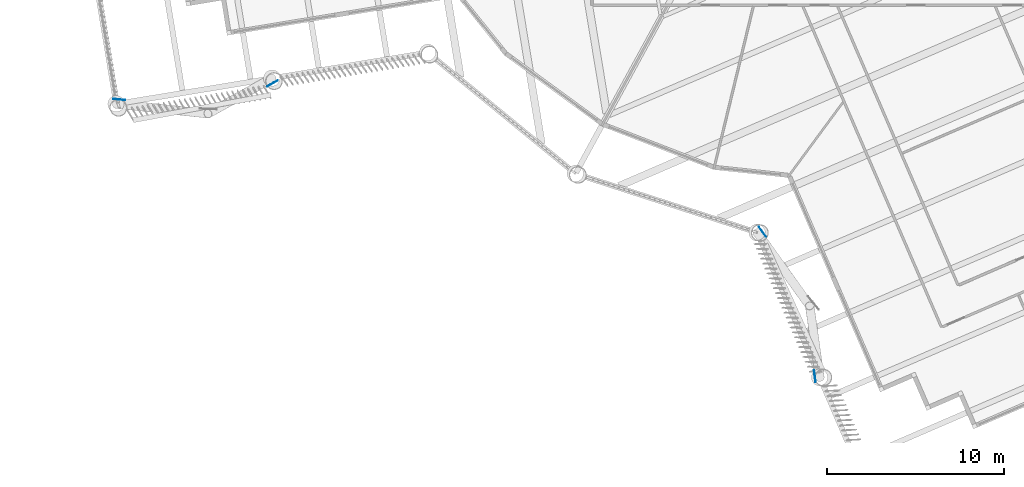
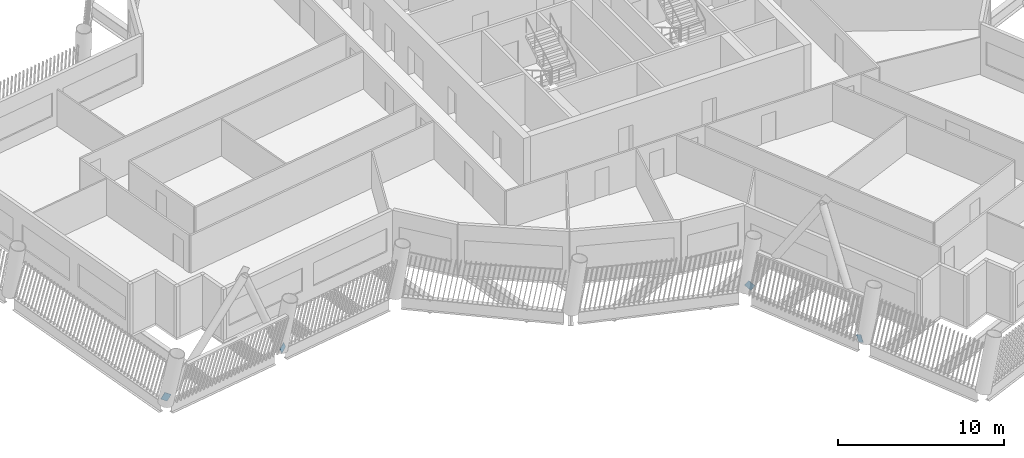
# One storey, part 12 of 23: 4 discrete accessories.
"""IFC4 building model written with IfcOpenShell, lengths in metres."""

from ifc_helpers import new_model, si_unit, direction, frame, origin, origin_2d, place, context, subcontext, project, spatial, rectangle, extrude, material, material_profile, profile_set, type_object, element, save


model = new_model("IFC4")

# Units and contexts
model_context = context("Model", 3, precision=1e-05, world=origin(), true_north=direction((0.0, 1.0)))
body_context = subcontext(model_context, "Body", "Model", "MODEL_VIEW")
ifc_project = project(units=[si_unit("LENGTHUNIT", "METRE"), si_unit("AREAUNIT", "SQUARE_METRE"), si_unit("VOLUMEUNIT", "CUBIC_METRE"), si_unit("PLANEANGLEUNIT", "RADIAN"), si_unit("MASSUNIT", "GRAM", prefix="KILO")], contexts=[model_context])

# Site, building, storey
site_placement = place(None, origin())
site = spatial("IfcSite", under=ifc_project, at=site_placement, CompositionType="ELEMENT")
building_placement = place(site_placement, origin())
building = spatial("IfcBuilding", under=site, at=building_placement, Name="Tarsis Ring Headquarters", CompositionType="ELEMENT")
storey_placement = place(building_placement, frame((0.0, 0.0, 323.60009765625)))
storey = spatial("IfcBuildingStorey", under=building, at=storey_placement, Name="L76", CompositionType="ELEMENT", Elevation=323.60009765625)

# Discrete accessories
ifc_material = material(Name="Structural steel S355", Category="steel")
ifc_material_profile = material_profile(ifc_material, rectangle(XDim=0.02490234375, YDim=0.5, at=origin_2d()), Name="PL 25x500")
ifc_profile_set = profile_set([ifc_material_profile], Name="Structural steel S355")
discrete_accessory_type = type_object("IfcDiscreteAccessoryType", Name="Gusset plate Exo brace 25", PredefinedType="BRACKET", material=ifc_profile_set)
for number, where, z_axis, x_axis, name in (
    (1, (-3.459228515625, -28.659912109375, 0.0), (0.317984720529, -0.44400631484, 0.837701683114), (0.813007650405, 0.582253003756, 0.0), "Gusset plate GP5"),
    (2, (-0.41015625, -37.024658203125, 0.0), (-0.064488213037, 0.458745697289, 0.886224382196), (-0.990263394512, -0.139206355778, 0.0), "Gusset plate GP5"),
):
    element("IfcDiscreteAccessory", number, at=place(storey_placement, frame(where, z_axis=z_axis, x_axis=x_axis)), inside=storey, type_object=discrete_accessory_type, Name=name, PredefinedType="BRACKET", context=body_context, shape_type="SweptSolid", body=[
        extrude(rectangle(XDim=0.02490234375, YDim=0.5, at=origin_2d()), origin(), (0.0, 0.0, 1.0), 0.499755859375),
    ])
for number, where, z_axis, x_axis, name in (
    (3, (-39.794921875, -21.298828125, 0.0), (0.551377798128, -0.058605257551, 0.832194657228), (0.105693402875, 0.99439876538, 0.0), "Gusset plate GP5"),
    (4, (-30.910400390625, -20.34912109375, 0.0), (-0.409618506611, -0.226535145492, 0.883682356336), (0.48395943023, -0.875090435265, 0.0), "Gusset plate GP5"),
):
    element("IfcDiscreteAccessory", number, at=place(storey_placement, frame(where, z_axis=z_axis, x_axis=x_axis)), inside=storey, type_object=discrete_accessory_type, Name=name, PredefinedType="BRACKET", context=body_context, shape_type="SweptSolid", body=[
        extrude(rectangle(XDim=0.02490234375, YDim=0.5, at=origin_2d()), origin(), (0.0, 0.0, 1.0), 0.5),
    ])

save(model, "model.ifc")
